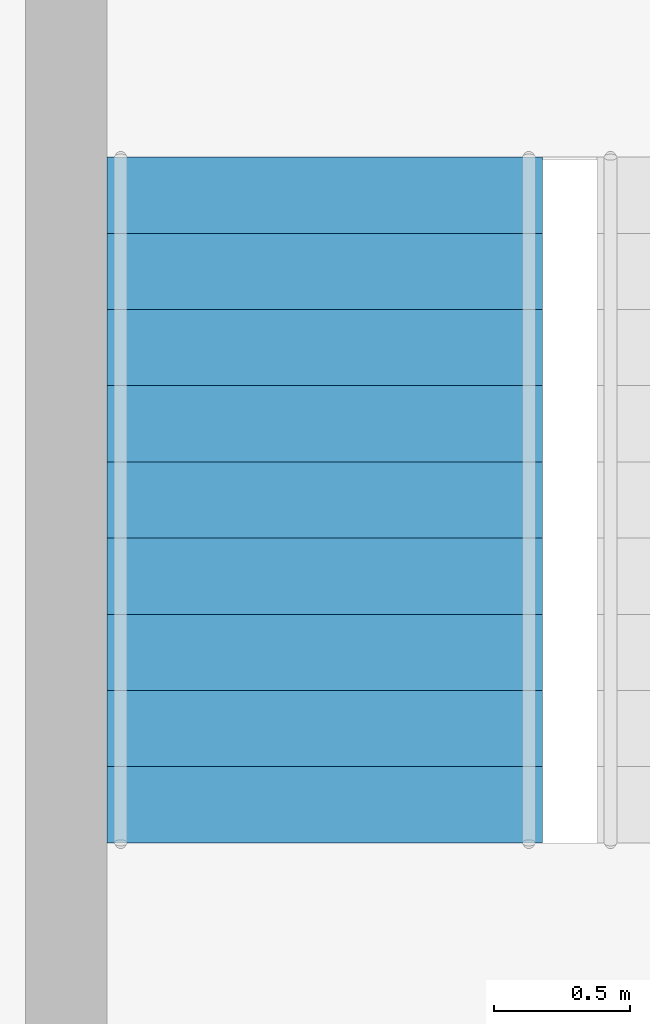
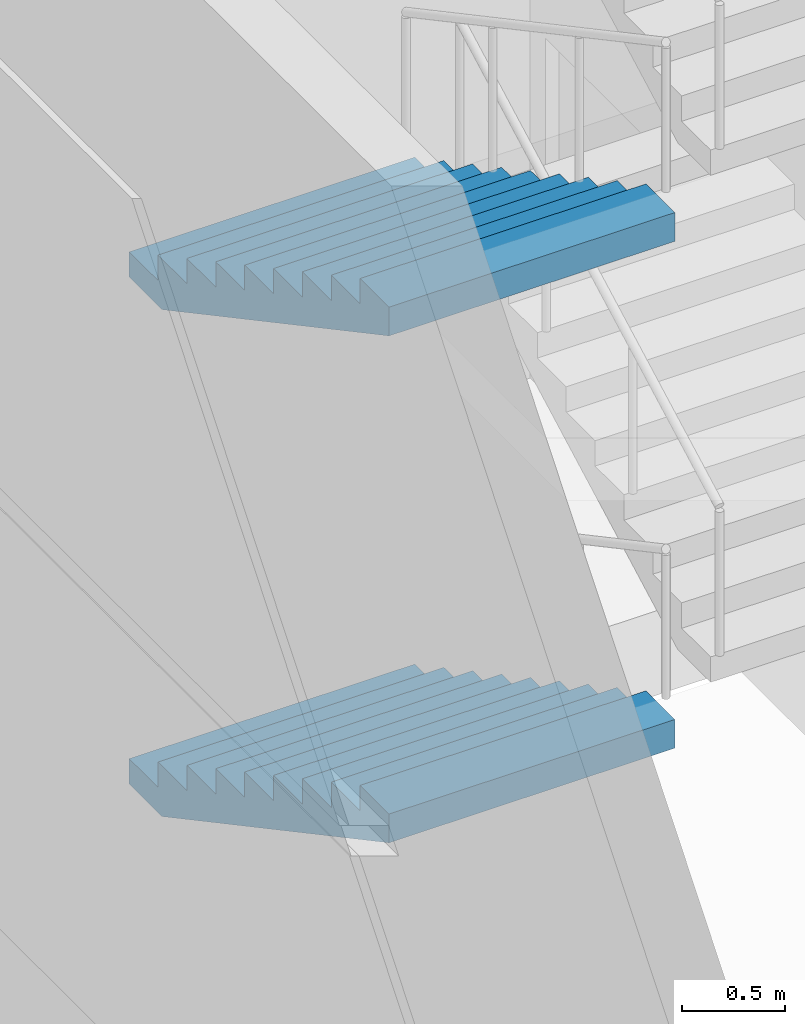
# One storey, part 74 of 100: 2 stair flights, 1 element without a shape of its own.
"""IFC4 building model written with IfcOpenShell, lengths in metres."""

from ifc_helpers import new_model, si_unit, direction, frame, origin, place, context, subcontext, project, spatial, triangles, material, type_object, element, aggregate, save


model = new_model("IFC4")

# Units and contexts
model_context = context("Model", 3, precision=1e-05, world=origin(), true_north=direction((0.0, 1.0)))
body_context = subcontext(model_context, "Body", "Model", "MODEL_VIEW")
ifc_project = project(units=[si_unit("LENGTHUNIT", "METRE"), si_unit("AREAUNIT", "SQUARE_METRE"), si_unit("VOLUMEUNIT", "CUBIC_METRE"), si_unit("PLANEANGLEUNIT", "RADIAN"), si_unit("MASSUNIT", "GRAM", prefix="KILO")], contexts=[model_context])

# Site, building, storey
site_placement = place(None, origin())
site = spatial("IfcSite", under=ifc_project, at=site_placement, CompositionType="ELEMENT")
building_placement = place(site_placement, origin())
building = spatial("IfcBuilding", under=site, at=building_placement, Name="Hakoniwa Tower and Hamabe Station Hall", CompositionType="ELEMENT")
storey_placement = place(building_placement, frame((0.0, 0.0, 9.0)))
storey = spatial("IfcBuildingStorey", under=building, at=storey_placement, Name="L02", CompositionType="ELEMENT", Elevation=9.0)

# Stair, stair flights
ifc_material_1 = material(Name="Concrete C40", Category="concrete")
stair_type = type_object("IfcStairType", Name="STAIR 1600 10X150", PredefinedType="HALF_TURN_STAIR", material=ifc_material_1)
stair_placement = place(storey_placement, origin())
stair = element("IfcStair", 1, at=stair_placement, inside=storey, type_object=stair_type, Name="Escape stair SS3 L02", PredefinedType="HALF_TURN_STAIR")
ifc_material_2 = material(Name="Concrete C40", Category="concrete")
stair_flight_type = type_object("IfcStairFlightType", Name="STAIR FLIGHT 1600", PredefinedType="STRAIGHT", material=ifc_material_2)
stair_flight_1_placement = place(storey_placement, frame((87.449951171875, -16.89990234375, 0.0), z_axis=(0.0, 0.0, 1.0), x_axis=(0.0, -1.0, 0.0)))
stair_flight_1 = element("IfcStairFlight", 2, at=stair_flight_1_placement, type_object=stair_flight_type, Name="SS3 flight 1", NumberOfRisers=10, NumberOfTreads=9, PredefinedType="STRAIGHT", RiserHeight=0.15, TreadLength=0.28, context=body_context, shape_type="Tessellation", body=[
    triangles([(0.0, 0.800048828125, 0.0), (0.280029296875, 0.800048828125, 0.0), (0.3173828125, 0.800048828125, 0.0), (0.56005859375, 0.800048828125, 0.1298828125), (0.840087890625, 0.800048828125, 0.280029296875), (1.1201171875, 0.800048828125, 0.429931640625), (1.39990234375, 0.800048828125, 0.579833984375), (1.679931640625, 0.800048828125, 0.72998046875), (1.9599609375, 0.800048828125, 0.8798828125), (2.239990234375, 0.800048828125, 1.030029296875), (2.52001953125, 0.800048828125, 1.179931640625), (2.52001953125, 0.800048828125, 1.35009765625), (2.239990234375, 0.800048828125, 1.35009765625), (2.239990234375, 0.800048828125, 1.199951171875), (1.9599609375, 0.800048828125, 1.199951171875), (1.9599609375, 0.800048828125, 1.050048828125), (1.679931640625, 0.800048828125, 1.050048828125), (1.679931640625, 0.800048828125, 0.89990234375), (1.39990234375, 0.800048828125, 0.89990234375), (1.39990234375, 0.800048828125, 0.75), (1.1201171875, 0.800048828125, 0.75), (1.1201171875, 0.800048828125, 0.60009765625), (0.840087890625, 0.800048828125, 0.60009765625), (0.840087890625, 0.800048828125, 0.449951171875), (0.56005859375, 0.800048828125, 0.449951171875), (0.56005859375, 0.800048828125, 0.300048828125), (0.3173828125, 0.800048828125, 0.300048828125), (0.280029296875, 0.800048828125, 0.300048828125), (0.280029296875, 0.800048828125, 0.14990234375), (0.0, 0.800048828125, 0.14990234375), (0.0, 0.06005859375, 0.0), (0.280029296875, 0.06005859375, 0.0), (0.3173828125, 0.06005859375, 0.0), (0.56005859375, 0.06005859375, 0.1298828125), (0.840087890625, 0.06005859375, 0.280029296875), (1.1201171875, 0.06005859375, 0.429931640625), (1.39990234375, 0.06005859375, 0.579833984375), (1.679931640625, 0.06005859375, 0.72998046875), (1.9599609375, 0.06005859375, 0.8798828125), (2.239990234375, 0.06005859375, 1.030029296875), (2.52001953125, 0.06005859375, 1.179931640625), (2.52001953125, 0.06005859375, 1.35009765625), (2.239990234375, 0.06005859375, 1.35009765625), (2.239990234375, 0.06005859375, 1.199951171875), (1.9599609375, 0.06005859375, 1.199951171875), (1.9599609375, 0.06005859375, 1.050048828125), (1.679931640625, 0.06005859375, 1.050048828125), (1.679931640625, 0.06005859375, 0.89990234375), (1.39990234375, 0.06005859375, 0.89990234375), (1.39990234375, 0.06005859375, 0.75), (1.1201171875, 0.06005859375, 0.75), (1.1201171875, 0.06005859375, 0.60009765625), (0.840087890625, 0.06005859375, 0.60009765625), (0.840087890625, 0.06005859375, 0.449951171875), (0.56005859375, 0.06005859375, 0.449951171875), (0.56005859375, 0.06005859375, 0.300048828125), (0.3173828125, 0.06005859375, 0.300048828125), (0.280029296875, 0.06005859375, 0.300048828125), (0.280029296875, 0.06005859375, 0.14990234375), (0.0, 0.06005859375, 0.14990234375), (0.0, 0.02001953125, 0.0), (0.280029296875, 0.02001953125, 0.0), (0.3173828125, 0.02001953125, 0.0), (0.56005859375, 0.02001953125, 0.1298828125), (0.840087890625, 0.02001953125, 0.280029296875), (1.1201171875, 0.02001953125, 0.429931640625), (1.39990234375, 0.02001953125, 0.579833984375), (1.679931640625, 0.02001953125, 0.72998046875), (1.9599609375, 0.02001953125, 0.8798828125), (2.239990234375, 0.02001953125, 1.030029296875), (2.52001953125, 0.02001953125, 1.179931640625), (2.52001953125, 0.02001953125, 1.35009765625), (2.239990234375, 0.02001953125, 1.35009765625), (2.239990234375, 0.02001953125, 1.199951171875), (1.9599609375, 0.02001953125, 1.199951171875), (1.9599609375, 0.02001953125, 1.050048828125), (1.679931640625, 0.02001953125, 1.050048828125), (1.679931640625, 0.02001953125, 0.89990234375), (1.39990234375, 0.02001953125, 0.89990234375), (1.39990234375, 0.02001953125, 0.75), (1.1201171875, 0.02001953125, 0.75), (1.1201171875, 0.02001953125, 0.60009765625), (0.840087890625, 0.02001953125, 0.60009765625), (0.840087890625, 0.02001953125, 0.449951171875), (0.56005859375, 0.02001953125, 0.449951171875), (0.56005859375, 0.02001953125, 0.300048828125), (0.3173828125, 0.02001953125, 0.300048828125), (0.280029296875, 0.02001953125, 0.300048828125), (0.280029296875, 0.02001953125, 0.14990234375), (0.0, 0.02001953125, 0.14990234375), (0.0, -0.02001953125, 0.0), (0.280029296875, -0.02001953125, 0.0), (0.3173828125, -0.02001953125, 0.0), (0.56005859375, -0.02001953125, 0.1298828125), (0.840087890625, -0.02001953125, 0.280029296875), (1.1201171875, -0.02001953125, 0.429931640625), (1.39990234375, -0.02001953125, 0.579833984375), (1.679931640625, -0.02001953125, 0.72998046875), (1.9599609375, -0.02001953125, 0.8798828125), (2.239990234375, -0.02001953125, 1.030029296875), (2.52001953125, -0.02001953125, 1.179931640625), (2.52001953125, -0.02001953125, 1.35009765625), (2.239990234375, -0.02001953125, 1.35009765625), (2.239990234375, -0.02001953125, 1.199951171875), (1.9599609375, -0.02001953125, 1.199951171875), (1.9599609375, -0.02001953125, 1.050048828125), (1.679931640625, -0.02001953125, 1.050048828125), (1.679931640625, -0.02001953125, 0.89990234375), (1.39990234375, -0.02001953125, 0.89990234375), (1.39990234375, -0.02001953125, 0.75), (1.1201171875, -0.02001953125, 0.75), (1.1201171875, -0.02001953125, 0.60009765625), (0.840087890625, -0.02001953125, 0.60009765625), (0.840087890625, -0.02001953125, 0.449951171875), (0.56005859375, -0.02001953125, 0.449951171875), (0.56005859375, -0.02001953125, 0.300048828125), (0.3173828125, -0.02001953125, 0.300048828125), (0.280029296875, -0.02001953125, 0.300048828125), (0.280029296875, -0.02001953125, 0.14990234375), (0.0, -0.02001953125, 0.14990234375), (0.0, -0.06005859375, 0.0), (0.280029296875, -0.06005859375, 0.0), (0.3173828125, -0.06005859375, 0.0), (0.56005859375, -0.06005859375, 0.1298828125), (0.840087890625, -0.06005859375, 0.280029296875), (1.1201171875, -0.06005859375, 0.429931640625), (1.39990234375, -0.06005859375, 0.579833984375), (1.679931640625, -0.06005859375, 0.72998046875), (1.9599609375, -0.06005859375, 0.8798828125), (2.239990234375, -0.06005859375, 1.030029296875), (2.52001953125, -0.06005859375, 1.179931640625), (2.52001953125, -0.06005859375, 1.35009765625), (2.239990234375, -0.06005859375, 1.35009765625), (2.239990234375, -0.06005859375, 1.199951171875), (1.9599609375, -0.06005859375, 1.199951171875), (1.9599609375, -0.06005859375, 1.050048828125), (1.679931640625, -0.06005859375, 1.050048828125), (1.679931640625, -0.06005859375, 0.89990234375), (1.39990234375, -0.06005859375, 0.89990234375), (1.39990234375, -0.06005859375, 0.75), (1.1201171875, -0.06005859375, 0.75), (1.1201171875, -0.06005859375, 0.60009765625), (0.840087890625, -0.06005859375, 0.60009765625), (0.840087890625, -0.06005859375, 0.449951171875), (0.56005859375, -0.06005859375, 0.449951171875), (0.56005859375, -0.06005859375, 0.300048828125), (0.3173828125, -0.06005859375, 0.300048828125), (0.280029296875, -0.06005859375, 0.300048828125), (0.280029296875, -0.06005859375, 0.14990234375), (0.0, -0.06005859375, 0.14990234375), (0.0, -0.800048828125, 0.0), (0.280029296875, -0.800048828125, 0.0), (0.3173828125, -0.800048828125, 0.0), (0.56005859375, -0.800048828125, 0.1298828125), (0.840087890625, -0.800048828125, 0.280029296875), (1.1201171875, -0.800048828125, 0.429931640625), (1.39990234375, -0.800048828125, 0.579833984375), (1.679931640625, -0.800048828125, 0.72998046875), (1.9599609375, -0.800048828125, 0.8798828125), (2.239990234375, -0.800048828125, 1.030029296875), (2.52001953125, -0.800048828125, 1.179931640625), (2.52001953125, -0.800048828125, 1.35009765625), (2.239990234375, -0.800048828125, 1.35009765625), (2.239990234375, -0.800048828125, 1.199951171875), (1.9599609375, -0.800048828125, 1.199951171875), (1.9599609375, -0.800048828125, 1.050048828125), (1.679931640625, -0.800048828125, 1.050048828125), (1.679931640625, -0.800048828125, 0.89990234375), (1.39990234375, -0.800048828125, 0.89990234375), (1.39990234375, -0.800048828125, 0.75), (1.1201171875, -0.800048828125, 0.75), (1.1201171875, -0.800048828125, 0.60009765625), (0.840087890625, -0.800048828125, 0.60009765625), (0.840087890625, -0.800048828125, 0.449951171875), (0.56005859375, -0.800048828125, 0.449951171875), (0.56005859375, -0.800048828125, 0.300048828125), (0.3173828125, -0.800048828125, 0.300048828125), (0.280029296875, -0.800048828125, 0.300048828125), (0.280029296875, -0.800048828125, 0.14990234375), (0.0, -0.800048828125, 0.14990234375)], [[2, 30, 29], [152, 179, 180], [2, 1, 30], [152, 180, 151], [3, 28, 27], [153, 177, 178], [3, 29, 28], [153, 178, 179], [3, 2, 29], [153, 179, 152], [4, 27, 26], [154, 176, 177], [4, 3, 27], [154, 177, 153], [5, 25, 24], [155, 174, 175], [5, 26, 25], [155, 175, 176], [5, 4, 26], [155, 176, 154], [6, 23, 22], [156, 172, 173], [6, 24, 23], [156, 173, 174], [6, 5, 24], [156, 174, 155], [7, 21, 20], [157, 170, 171], [7, 22, 21], [157, 171, 172], [7, 6, 22], [157, 172, 156], [8, 19, 18], [158, 168, 169], [8, 20, 19], [158, 169, 170], [8, 7, 20], [158, 170, 157], [9, 17, 16], [159, 166, 167], [9, 18, 17], [159, 167, 168], [9, 8, 18], [159, 168, 158], [10, 15, 14], [160, 164, 165], [10, 16, 15], [160, 165, 166], [10, 9, 16], [160, 166, 159], [11, 13, 12], [161, 162, 163], [11, 14, 13], [161, 163, 164], [11, 10, 14], [161, 164, 160], [1, 2, 32], [1, 32, 31], [31, 32, 62], [31, 62, 61], [61, 62, 92], [61, 92, 91], [91, 92, 122], [91, 122, 121], [121, 122, 152], [121, 152, 151], [2, 3, 33], [2, 33, 32], [32, 33, 63], [32, 63, 62], [62, 63, 93], [62, 93, 92], [92, 93, 123], [92, 123, 122], [122, 123, 153], [122, 153, 152], [3, 4, 34], [3, 34, 33], [33, 34, 64], [33, 64, 63], [63, 64, 94], [63, 94, 93], [93, 94, 124], [93, 124, 123], [123, 124, 154], [123, 154, 153], [4, 5, 35], [4, 35, 34], [34, 35, 65], [34, 65, 64], [64, 65, 95], [64, 95, 94], [94, 95, 125], [94, 125, 124], [124, 125, 155], [124, 155, 154], [5, 6, 36], [5, 36, 35], [35, 36, 66], [35, 66, 65], [65, 66, 96], [65, 96, 95], [95, 96, 126], [95, 126, 125], [125, 126, 156], [125, 156, 155], [6, 7, 37], [6, 37, 36], [36, 37, 67], [36, 67, 66], [66, 67, 97], [66, 97, 96], [96, 97, 127], [96, 127, 126], [126, 127, 157], [126, 157, 156], [7, 8, 38], [7, 38, 37], [37, 38, 68], [37, 68, 67], [67, 68, 98], [67, 98, 97], [97, 98, 128], [97, 128, 127], [127, 128, 158], [127, 158, 157], [8, 9, 39], [8, 39, 38], [38, 39, 69], [38, 69, 68], [68, 69, 99], [68, 99, 98], [98, 99, 129], [98, 129, 128], [128, 129, 159], [128, 159, 158], [9, 10, 40], [9, 40, 39], [39, 40, 70], [39, 70, 69], [69, 70, 100], [69, 100, 99], [99, 100, 130], [99, 130, 129], [129, 130, 160], [129, 160, 159], [10, 11, 41], [10, 41, 40], [40, 41, 71], [40, 71, 70], [70, 71, 101], [70, 101, 100], [100, 101, 131], [100, 131, 130], [130, 131, 161], [130, 161, 160], [11, 12, 42], [11, 42, 41], [41, 42, 72], [41, 72, 71], [71, 72, 102], [71, 102, 101], [101, 102, 132], [101, 132, 131], [131, 132, 162], [131, 162, 161], [12, 13, 43], [12, 43, 42], [42, 43, 73], [42, 73, 72], [72, 73, 103], [72, 103, 102], [102, 103, 133], [102, 133, 132], [132, 133, 163], [132, 163, 162], [13, 14, 44], [13, 44, 43], [43, 44, 74], [43, 74, 73], [73, 74, 104], [73, 104, 103], [103, 104, 134], [103, 134, 133], [133, 134, 164], [133, 164, 163], [14, 15, 45], [14, 45, 44], [44, 45, 75], [44, 75, 74], [74, 75, 105], [74, 105, 104], [104, 105, 135], [104, 135, 134], [134, 135, 165], [134, 165, 164], [15, 16, 46], [15, 46, 45], [45, 46, 76], [45, 76, 75], [75, 76, 106], [75, 106, 105], [105, 106, 136], [105, 136, 135], [135, 136, 166], [135, 166, 165], [16, 17, 47], [16, 47, 46], [46, 47, 77], [46, 77, 76], [76, 77, 107], [76, 107, 106], [106, 107, 137], [106, 137, 136], [136, 137, 167], [136, 167, 166], [17, 18, 48], [17, 48, 47], [47, 48, 78], [47, 78, 77], [77, 78, 108], [77, 108, 107], [107, 108, 138], [107, 138, 137], [137, 138, 168], [137, 168, 167], [18, 19, 49], [18, 49, 48], [48, 49, 79], [48, 79, 78], [78, 79, 109], [78, 109, 108], [108, 109, 139], [108, 139, 138], [138, 139, 169], [138, 169, 168], [19, 20, 50], [19, 50, 49], [49, 50, 80], [49, 80, 79], [79, 80, 110], [79, 110, 109], [109, 110, 140], [109, 140, 139], [139, 140, 170], [139, 170, 169], [20, 21, 51], [20, 51, 50], [50, 51, 81], [50, 81, 80], [80, 81, 111], [80, 111, 110], [110, 111, 141], [110, 141, 140], [140, 141, 171], [140, 171, 170], [21, 22, 52], [21, 52, 51], [51, 52, 82], [51, 82, 81], [81, 82, 112], [81, 112, 111], [111, 112, 142], [111, 142, 141], [141, 142, 172], [141, 172, 171], [22, 23, 53], [22, 53, 52], [52, 53, 83], [52, 83, 82], [82, 83, 113], [82, 113, 112], [112, 113, 143], [112, 143, 142], [142, 143, 173], [142, 173, 172], [23, 24, 54], [23, 54, 53], [53, 54, 84], [53, 84, 83], [83, 84, 114], [83, 114, 113], [113, 114, 144], [113, 144, 143], [143, 144, 174], [143, 174, 173], [24, 25, 55], [24, 55, 54], [54, 55, 85], [54, 85, 84], [84, 85, 115], [84, 115, 114], [114, 115, 145], [114, 145, 144], [144, 145, 175], [144, 175, 174], [25, 26, 56], [25, 56, 55], [55, 56, 86], [55, 86, 85], [85, 86, 116], [85, 116, 115], [115, 116, 146], [115, 146, 145], [145, 146, 176], [145, 176, 175], [26, 27, 57], [26, 57, 56], [56, 57, 87], [56, 87, 86], [86, 87, 117], [86, 117, 116], [116, 117, 147], [116, 147, 146], [146, 147, 177], [146, 177, 176], [27, 28, 58], [27, 58, 57], [57, 58, 88], [57, 88, 87], [87, 88, 118], [87, 118, 117], [117, 118, 148], [117, 148, 147], [147, 148, 178], [147, 178, 177], [28, 29, 59], [28, 59, 58], [58, 59, 89], [58, 89, 88], [88, 89, 119], [88, 119, 118], [118, 119, 149], [118, 149, 148], [148, 149, 179], [148, 179, 178], [29, 30, 60], [29, 60, 59], [59, 60, 90], [59, 90, 89], [89, 90, 120], [89, 120, 119], [119, 120, 150], [119, 150, 149], [149, 150, 180], [149, 180, 179], [30, 1, 31], [30, 31, 60], [60, 31, 61], [60, 61, 90], [90, 61, 91], [90, 91, 120], [120, 91, 121], [120, 121, 150], [150, 121, 151], [150, 151, 180]], closed=True),
])
stair_flight_2_placement = place(storey_placement, frame((87.449951171875, -16.89990234375, 3.0), z_axis=(0.0, 0.0, 1.0), x_axis=(0.0, -1.0, 0.0)))
stair_flight_2 = element("IfcStairFlight", 3, at=stair_flight_2_placement, type_object=stair_flight_type, Name="SS3 flight 3", NumberOfRisers=10, NumberOfTreads=9, PredefinedType="STRAIGHT", RiserHeight=0.15, TreadLength=0.28, context=body_context, shape_type="Tessellation", body=[
    triangles([(0.0, 0.800048828125, 0.0), (0.280029296875, 0.800048828125, 0.0), (0.3173828125, 0.800048828125, 0.0), (0.56005859375, 0.800048828125, 0.1298828125), (0.840087890625, 0.800048828125, 0.280029296875), (1.1201171875, 0.800048828125, 0.429931640625), (1.39990234375, 0.800048828125, 0.579833984375), (1.679931640625, 0.800048828125, 0.72998046875), (1.9599609375, 0.800048828125, 0.8798828125), (2.239990234375, 0.800048828125, 1.030029296875), (2.52001953125, 0.800048828125, 1.179931640625), (2.52001953125, 0.800048828125, 1.35009765625), (2.239990234375, 0.800048828125, 1.35009765625), (2.239990234375, 0.800048828125, 1.199951171875), (1.9599609375, 0.800048828125, 1.199951171875), (1.9599609375, 0.800048828125, 1.050048828125), (1.679931640625, 0.800048828125, 1.050048828125), (1.679931640625, 0.800048828125, 0.89990234375), (1.39990234375, 0.800048828125, 0.89990234375), (1.39990234375, 0.800048828125, 0.75), (1.1201171875, 0.800048828125, 0.75), (1.1201171875, 0.800048828125, 0.60009765625), (0.840087890625, 0.800048828125, 0.60009765625), (0.840087890625, 0.800048828125, 0.449951171875), (0.56005859375, 0.800048828125, 0.449951171875), (0.56005859375, 0.800048828125, 0.300048828125), (0.3173828125, 0.800048828125, 0.300048828125), (0.280029296875, 0.800048828125, 0.300048828125), (0.280029296875, 0.800048828125, 0.14990234375), (0.0, 0.800048828125, 0.14990234375), (0.0, 0.06005859375, 0.0), (0.280029296875, 0.06005859375, 0.0), (0.3173828125, 0.06005859375, 0.0), (0.56005859375, 0.06005859375, 0.1298828125), (0.840087890625, 0.06005859375, 0.280029296875), (1.1201171875, 0.06005859375, 0.429931640625), (1.39990234375, 0.06005859375, 0.579833984375), (1.679931640625, 0.06005859375, 0.72998046875), (1.9599609375, 0.06005859375, 0.8798828125), (2.239990234375, 0.06005859375, 1.030029296875), (2.52001953125, 0.06005859375, 1.179931640625), (2.52001953125, 0.06005859375, 1.35009765625), (2.239990234375, 0.06005859375, 1.35009765625), (2.239990234375, 0.06005859375, 1.199951171875), (1.9599609375, 0.06005859375, 1.199951171875), (1.9599609375, 0.06005859375, 1.050048828125), (1.679931640625, 0.06005859375, 1.050048828125), (1.679931640625, 0.06005859375, 0.89990234375), (1.39990234375, 0.06005859375, 0.89990234375), (1.39990234375, 0.06005859375, 0.75), (1.1201171875, 0.06005859375, 0.75), (1.1201171875, 0.06005859375, 0.60009765625), (0.840087890625, 0.06005859375, 0.60009765625), (0.840087890625, 0.06005859375, 0.449951171875), (0.56005859375, 0.06005859375, 0.449951171875), (0.56005859375, 0.06005859375, 0.300048828125), (0.3173828125, 0.06005859375, 0.300048828125), (0.280029296875, 0.06005859375, 0.300048828125), (0.280029296875, 0.06005859375, 0.14990234375), (0.0, 0.06005859375, 0.14990234375), (0.0, 0.02001953125, 0.0), (0.280029296875, 0.02001953125, 0.0), (0.3173828125, 0.02001953125, 0.0), (0.56005859375, 0.02001953125, 0.1298828125), (0.840087890625, 0.02001953125, 0.280029296875), (1.1201171875, 0.02001953125, 0.429931640625), (1.39990234375, 0.02001953125, 0.579833984375), (1.679931640625, 0.02001953125, 0.72998046875), (1.9599609375, 0.02001953125, 0.8798828125), (2.239990234375, 0.02001953125, 1.030029296875), (2.52001953125, 0.02001953125, 1.179931640625), (2.52001953125, 0.02001953125, 1.35009765625), (2.239990234375, 0.02001953125, 1.35009765625), (2.239990234375, 0.02001953125, 1.199951171875), (1.9599609375, 0.02001953125, 1.199951171875), (1.9599609375, 0.02001953125, 1.050048828125), (1.679931640625, 0.02001953125, 1.050048828125), (1.679931640625, 0.02001953125, 0.89990234375), (1.39990234375, 0.02001953125, 0.89990234375), (1.39990234375, 0.02001953125, 0.75), (1.1201171875, 0.02001953125, 0.75), (1.1201171875, 0.02001953125, 0.60009765625), (0.840087890625, 0.02001953125, 0.60009765625), (0.840087890625, 0.02001953125, 0.449951171875), (0.56005859375, 0.02001953125, 0.449951171875), (0.56005859375, 0.02001953125, 0.300048828125), (0.3173828125, 0.02001953125, 0.300048828125), (0.280029296875, 0.02001953125, 0.300048828125), (0.280029296875, 0.02001953125, 0.14990234375), (0.0, 0.02001953125, 0.14990234375), (0.0, -0.02001953125, 0.0), (0.280029296875, -0.02001953125, 0.0), (0.3173828125, -0.02001953125, 0.0), (0.56005859375, -0.02001953125, 0.1298828125), (0.840087890625, -0.02001953125, 0.280029296875), (1.1201171875, -0.02001953125, 0.429931640625), (1.39990234375, -0.02001953125, 0.579833984375), (1.679931640625, -0.02001953125, 0.72998046875), (1.9599609375, -0.02001953125, 0.8798828125), (2.239990234375, -0.02001953125, 1.030029296875), (2.52001953125, -0.02001953125, 1.179931640625), (2.52001953125, -0.02001953125, 1.35009765625), (2.239990234375, -0.02001953125, 1.35009765625), (2.239990234375, -0.02001953125, 1.199951171875), (1.9599609375, -0.02001953125, 1.199951171875), (1.9599609375, -0.02001953125, 1.050048828125), (1.679931640625, -0.02001953125, 1.050048828125), (1.679931640625, -0.02001953125, 0.89990234375), (1.39990234375, -0.02001953125, 0.89990234375), (1.39990234375, -0.02001953125, 0.75), (1.1201171875, -0.02001953125, 0.75), (1.1201171875, -0.02001953125, 0.60009765625), (0.840087890625, -0.02001953125, 0.60009765625), (0.840087890625, -0.02001953125, 0.449951171875), (0.56005859375, -0.02001953125, 0.449951171875), (0.56005859375, -0.02001953125, 0.300048828125), (0.3173828125, -0.02001953125, 0.300048828125), (0.280029296875, -0.02001953125, 0.300048828125), (0.280029296875, -0.02001953125, 0.14990234375), (0.0, -0.02001953125, 0.14990234375), (0.0, -0.06005859375, 0.0), (0.280029296875, -0.06005859375, 0.0), (0.3173828125, -0.06005859375, 0.0), (0.56005859375, -0.06005859375, 0.1298828125), (0.840087890625, -0.06005859375, 0.280029296875), (1.1201171875, -0.06005859375, 0.429931640625), (1.39990234375, -0.06005859375, 0.579833984375), (1.679931640625, -0.06005859375, 0.72998046875), (1.9599609375, -0.06005859375, 0.8798828125), (2.239990234375, -0.06005859375, 1.030029296875), (2.52001953125, -0.06005859375, 1.179931640625), (2.52001953125, -0.06005859375, 1.35009765625), (2.239990234375, -0.06005859375, 1.35009765625), (2.239990234375, -0.06005859375, 1.199951171875), (1.9599609375, -0.06005859375, 1.199951171875), (1.9599609375, -0.06005859375, 1.050048828125), (1.679931640625, -0.06005859375, 1.050048828125), (1.679931640625, -0.06005859375, 0.89990234375), (1.39990234375, -0.06005859375, 0.89990234375), (1.39990234375, -0.06005859375, 0.75), (1.1201171875, -0.06005859375, 0.75), (1.1201171875, -0.06005859375, 0.60009765625), (0.840087890625, -0.06005859375, 0.60009765625), (0.840087890625, -0.06005859375, 0.449951171875), (0.56005859375, -0.06005859375, 0.449951171875), (0.56005859375, -0.06005859375, 0.300048828125), (0.3173828125, -0.06005859375, 0.300048828125), (0.280029296875, -0.06005859375, 0.300048828125), (0.280029296875, -0.06005859375, 0.14990234375), (0.0, -0.06005859375, 0.14990234375), (0.0, -0.800048828125, 0.0), (0.280029296875, -0.800048828125, 0.0), (0.3173828125, -0.800048828125, 0.0), (0.56005859375, -0.800048828125, 0.1298828125), (0.840087890625, -0.800048828125, 0.280029296875), (1.1201171875, -0.800048828125, 0.429931640625), (1.39990234375, -0.800048828125, 0.579833984375), (1.679931640625, -0.800048828125, 0.72998046875), (1.9599609375, -0.800048828125, 0.8798828125), (2.239990234375, -0.800048828125, 1.030029296875), (2.52001953125, -0.800048828125, 1.179931640625), (2.52001953125, -0.800048828125, 1.35009765625), (2.239990234375, -0.800048828125, 1.35009765625), (2.239990234375, -0.800048828125, 1.199951171875), (1.9599609375, -0.800048828125, 1.199951171875), (1.9599609375, -0.800048828125, 1.050048828125), (1.679931640625, -0.800048828125, 1.050048828125), (1.679931640625, -0.800048828125, 0.89990234375), (1.39990234375, -0.800048828125, 0.89990234375), (1.39990234375, -0.800048828125, 0.75), (1.1201171875, -0.800048828125, 0.75), (1.1201171875, -0.800048828125, 0.60009765625), (0.840087890625, -0.800048828125, 0.60009765625), (0.840087890625, -0.800048828125, 0.449951171875), (0.56005859375, -0.800048828125, 0.449951171875), (0.56005859375, -0.800048828125, 0.300048828125), (0.3173828125, -0.800048828125, 0.300048828125), (0.280029296875, -0.800048828125, 0.300048828125), (0.280029296875, -0.800048828125, 0.14990234375), (0.0, -0.800048828125, 0.14990234375)], [[2, 30, 29], [152, 179, 180], [2, 1, 30], [152, 180, 151], [3, 28, 27], [153, 177, 178], [3, 29, 28], [153, 178, 179], [3, 2, 29], [153, 179, 152], [4, 27, 26], [154, 176, 177], [4, 3, 27], [154, 177, 153], [5, 25, 24], [155, 174, 175], [5, 26, 25], [155, 175, 176], [5, 4, 26], [155, 176, 154], [6, 23, 22], [156, 172, 173], [6, 24, 23], [156, 173, 174], [6, 5, 24], [156, 174, 155], [7, 21, 20], [157, 170, 171], [7, 22, 21], [157, 171, 172], [7, 6, 22], [157, 172, 156], [8, 19, 18], [158, 168, 169], [8, 20, 19], [158, 169, 170], [8, 7, 20], [158, 170, 157], [9, 17, 16], [159, 166, 167], [9, 18, 17], [159, 167, 168], [9, 8, 18], [159, 168, 158], [10, 15, 14], [160, 164, 165], [10, 16, 15], [160, 165, 166], [10, 9, 16], [160, 166, 159], [11, 13, 12], [161, 162, 163], [11, 14, 13], [161, 163, 164], [11, 10, 14], [161, 164, 160], [1, 2, 32], [1, 32, 31], [31, 32, 62], [31, 62, 61], [61, 62, 92], [61, 92, 91], [91, 92, 122], [91, 122, 121], [121, 122, 152], [121, 152, 151], [2, 3, 33], [2, 33, 32], [32, 33, 63], [32, 63, 62], [62, 63, 93], [62, 93, 92], [92, 93, 123], [92, 123, 122], [122, 123, 153], [122, 153, 152], [3, 4, 34], [3, 34, 33], [33, 34, 64], [33, 64, 63], [63, 64, 94], [63, 94, 93], [93, 94, 124], [93, 124, 123], [123, 124, 154], [123, 154, 153], [4, 5, 35], [4, 35, 34], [34, 35, 65], [34, 65, 64], [64, 65, 95], [64, 95, 94], [94, 95, 125], [94, 125, 124], [124, 125, 155], [124, 155, 154], [5, 6, 36], [5, 36, 35], [35, 36, 66], [35, 66, 65], [65, 66, 96], [65, 96, 95], [95, 96, 126], [95, 126, 125], [125, 126, 156], [125, 156, 155], [6, 7, 37], [6, 37, 36], [36, 37, 67], [36, 67, 66], [66, 67, 97], [66, 97, 96], [96, 97, 127], [96, 127, 126], [126, 127, 157], [126, 157, 156], [7, 8, 38], [7, 38, 37], [37, 38, 68], [37, 68, 67], [67, 68, 98], [67, 98, 97], [97, 98, 128], [97, 128, 127], [127, 128, 158], [127, 158, 157], [8, 9, 39], [8, 39, 38], [38, 39, 69], [38, 69, 68], [68, 69, 99], [68, 99, 98], [98, 99, 129], [98, 129, 128], [128, 129, 159], [128, 159, 158], [9, 10, 40], [9, 40, 39], [39, 40, 70], [39, 70, 69], [69, 70, 100], [69, 100, 99], [99, 100, 130], [99, 130, 129], [129, 130, 160], [129, 160, 159], [10, 11, 41], [10, 41, 40], [40, 41, 71], [40, 71, 70], [70, 71, 101], [70, 101, 100], [100, 101, 131], [100, 131, 130], [130, 131, 161], [130, 161, 160], [11, 12, 42], [11, 42, 41], [41, 42, 72], [41, 72, 71], [71, 72, 102], [71, 102, 101], [101, 102, 132], [101, 132, 131], [131, 132, 162], [131, 162, 161], [12, 13, 43], [12, 43, 42], [42, 43, 73], [42, 73, 72], [72, 73, 103], [72, 103, 102], [102, 103, 133], [102, 133, 132], [132, 133, 163], [132, 163, 162], [13, 14, 44], [13, 44, 43], [43, 44, 74], [43, 74, 73], [73, 74, 104], [73, 104, 103], [103, 104, 134], [103, 134, 133], [133, 134, 164], [133, 164, 163], [14, 15, 45], [14, 45, 44], [44, 45, 75], [44, 75, 74], [74, 75, 105], [74, 105, 104], [104, 105, 135], [104, 135, 134], [134, 135, 165], [134, 165, 164], [15, 16, 46], [15, 46, 45], [45, 46, 76], [45, 76, 75], [75, 76, 106], [75, 106, 105], [105, 106, 136], [105, 136, 135], [135, 136, 166], [135, 166, 165], [16, 17, 47], [16, 47, 46], [46, 47, 77], [46, 77, 76], [76, 77, 107], [76, 107, 106], [106, 107, 137], [106, 137, 136], [136, 137, 167], [136, 167, 166], [17, 18, 48], [17, 48, 47], [47, 48, 78], [47, 78, 77], [77, 78, 108], [77, 108, 107], [107, 108, 138], [107, 138, 137], [137, 138, 168], [137, 168, 167], [18, 19, 49], [18, 49, 48], [48, 49, 79], [48, 79, 78], [78, 79, 109], [78, 109, 108], [108, 109, 139], [108, 139, 138], [138, 139, 169], [138, 169, 168], [19, 20, 50], [19, 50, 49], [49, 50, 80], [49, 80, 79], [79, 80, 110], [79, 110, 109], [109, 110, 140], [109, 140, 139], [139, 140, 170], [139, 170, 169], [20, 21, 51], [20, 51, 50], [50, 51, 81], [50, 81, 80], [80, 81, 111], [80, 111, 110], [110, 111, 141], [110, 141, 140], [140, 141, 171], [140, 171, 170], [21, 22, 52], [21, 52, 51], [51, 52, 82], [51, 82, 81], [81, 82, 112], [81, 112, 111], [111, 112, 142], [111, 142, 141], [141, 142, 172], [141, 172, 171], [22, 23, 53], [22, 53, 52], [52, 53, 83], [52, 83, 82], [82, 83, 113], [82, 113, 112], [112, 113, 143], [112, 143, 142], [142, 143, 173], [142, 173, 172], [23, 24, 54], [23, 54, 53], [53, 54, 84], [53, 84, 83], [83, 84, 114], [83, 114, 113], [113, 114, 144], [113, 144, 143], [143, 144, 174], [143, 174, 173], [24, 25, 55], [24, 55, 54], [54, 55, 85], [54, 85, 84], [84, 85, 115], [84, 115, 114], [114, 115, 145], [114, 145, 144], [144, 145, 175], [144, 175, 174], [25, 26, 56], [25, 56, 55], [55, 56, 86], [55, 86, 85], [85, 86, 116], [85, 116, 115], [115, 116, 146], [115, 146, 145], [145, 146, 176], [145, 176, 175], [26, 27, 57], [26, 57, 56], [56, 57, 87], [56, 87, 86], [86, 87, 117], [86, 117, 116], [116, 117, 147], [116, 147, 146], [146, 147, 177], [146, 177, 176], [27, 28, 58], [27, 58, 57], [57, 58, 88], [57, 88, 87], [87, 88, 118], [87, 118, 117], [117, 118, 148], [117, 148, 147], [147, 148, 178], [147, 178, 177], [28, 29, 59], [28, 59, 58], [58, 59, 89], [58, 89, 88], [88, 89, 119], [88, 119, 118], [118, 119, 149], [118, 149, 148], [148, 149, 179], [148, 179, 178], [29, 30, 60], [29, 60, 59], [59, 60, 90], [59, 90, 89], [89, 90, 120], [89, 120, 119], [119, 120, 150], [119, 150, 149], [149, 150, 180], [149, 180, 179], [30, 1, 31], [30, 31, 60], [60, 31, 61], [60, 61, 90], [90, 61, 91], [90, 91, 120], [120, 91, 121], [120, 121, 150], [150, 121, 151], [150, 151, 180]], closed=True),
])
aggregate(stair, [stair_flight_1, stair_flight_2])

save(model, "model.ifc")
